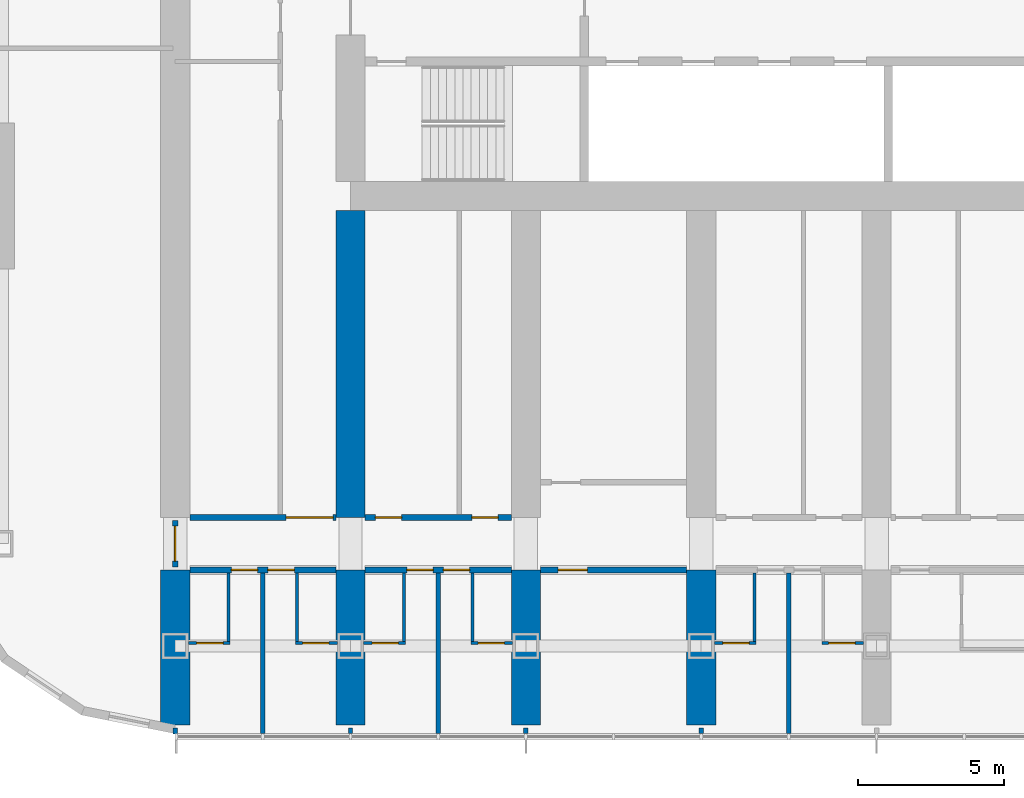
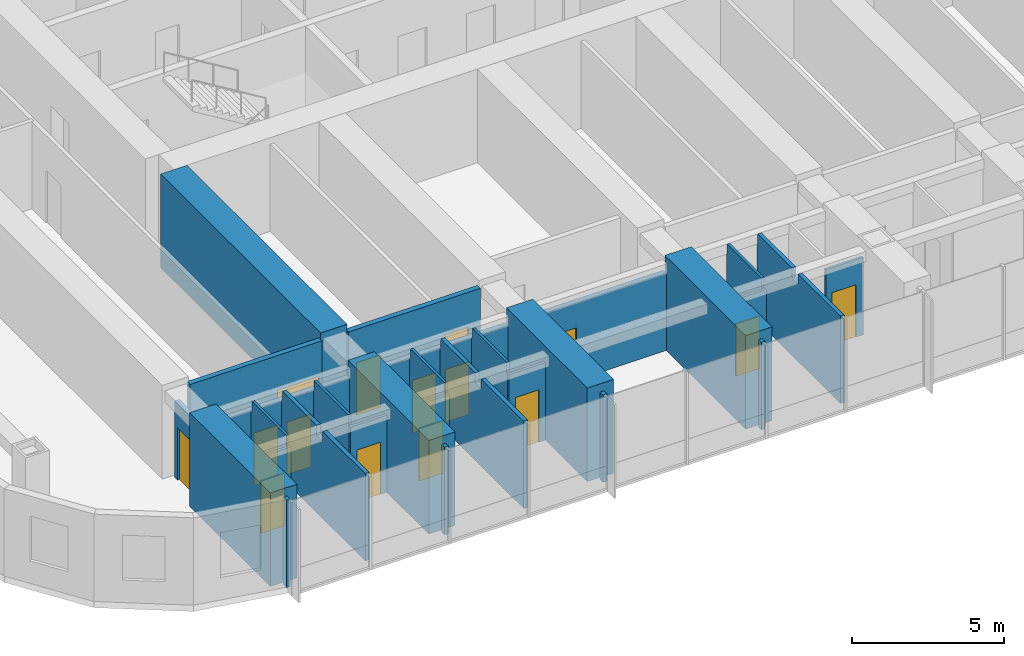
# One storey, part 10 of 24: 29 walls, 15 doors, 15 openings.
"""IFC4 building model written with IfcOpenShell, lengths in metres."""

import ifcopenshell
import ifcopenshell.guid

model = None  # the IFC model being written
_history = None  # IfcOwnerHistory: only IFC2X3 demands one
_inside = {}  # id of a spatial element -> (the spatial element, [elements in it])
_under = {}  # id of a project, library or spatial element -> (it, [spatial elements below it])
_declared = {}  # id of a project -> (the project, [libraries it declares])
_typed = {}  # id of a type object -> (the type object, [elements of that type])
_made_of = {}  # id of a material, layer set ... -> (it, [elements and type objects made of it])


def new_model(schema):
    """Start an empty IFC model of exactly this schema.

    Asked for "IFC4X3", IfcOpenShell would pick the latest addendum, in which some entities
    have other attributes; the version numbers below select the first issue.
    IFC2X3 requires an IfcOwnerHistory on every rooted entity: one is made here for all.
    """
    global model, _history
    if schema == "IFC4X3":
        model = ifcopenshell.file(schema_version=(4, 3, 0, 0))
    else:
        model = ifcopenshell.file(schema=schema)
    _inside.clear()
    _under.clear()
    _declared.clear()
    _typed.clear()
    _made_of.clear()
    _history = None
    if model.schema == "IFC2X3":
        org = make("IfcOrganization", Name="unknown")
        user = make(
            "IfcPersonAndOrganization",
            ThePerson=make("IfcPerson", FamilyName="unknown"),
            TheOrganization=org,
        )
        app = make(
            "IfcApplication",
            ApplicationDeveloper=org,
            Version="unknown",
            ApplicationFullName="unknown",
            ApplicationIdentifier="unknown",
        )
        _history = make(
            "IfcOwnerHistory",
            OwningUser=user,
            OwningApplication=app,
            ChangeAction="ADDED",
            CreationDate=0,
        )
    return model


def make(cls, **values):
    """One entity of the class cls with the attributes given. An attribute that is None is left unset."""
    return model.create_entity(
        cls, **{name: value for name, value in values.items() if value is not None}
    )


def rooted(cls, **values):
    """An entity with a GlobalId (a new one), such as an element, a storey or a relation."""
    return make(cls, GlobalId=ifcopenshell.guid.new(), OwnerHistory=_history, **values)


def si_unit(unit_type, name, prefix=None):
    """IfcSIUnit, for example si_unit("LENGTHUNIT", "METRE", prefix="MILLI")."""
    return make("IfcSIUnit", UnitType=unit_type, Prefix=prefix, Name=name)


def assignment(units):
    """IfcUnitAssignment: the units of a project."""
    return None if units is None else make("IfcUnitAssignment", Units=units)


def point(xyz):
    """IfcCartesianPoint."""
    return None if xyz is None else make("IfcCartesianPoint", Coordinates=xyz)


def direction(xyz):
    """IfcDirection."""
    return None if xyz is None else make("IfcDirection", DirectionRatios=xyz)


def frame(location, z_axis=None, x_axis=None):
    """IfcAxis2Placement3D, a coordinate frame: its origin and axes. An axis left out is left unset."""
    return make(
        "IfcAxis2Placement3D",
        Location=point(location),
        Axis=direction(z_axis),
        RefDirection=direction(x_axis),
    )


def frame_2d(location, x_axis=None):
    """IfcAxis2Placement2D, a coordinate frame in the plane: its origin and x axis."""
    return make(
        "IfcAxis2Placement2D", Location=point(location), RefDirection=direction(x_axis)
    )


def origin():
    """The frame at (0, 0, 0) with its axes left unset."""
    return frame((0.0, 0.0, 0.0))


def place(relative_to, where):
    """IfcLocalPlacement: puts the frame where relative to a parent placement (None: the world)."""
    return make(
        "IfcLocalPlacement", PlacementRelTo=relative_to, RelativePlacement=where
    )


def context(
    kind, dimensions, precision=None, world=None, true_north=None, identifier=None
):
    """IfcGeometricRepresentationContext, for example the 3D "Model" context."""
    return make(
        "IfcGeometricRepresentationContext",
        ContextIdentifier=identifier,
        ContextType=kind,
        CoordinateSpaceDimension=dimensions,
        Precision=precision,
        WorldCoordinateSystem=world,
        TrueNorth=true_north,
    )


def subcontext(parent, identifier, kind, view, scale=None):
    """IfcGeometricRepresentationSubContext, for example "Body" below "Model"."""
    return make(
        "IfcGeometricRepresentationSubContext",
        ContextIdentifier=identifier,
        ContextType=kind,
        ParentContext=parent,
        TargetScale=scale,
        TargetView=view,
    )


def project(units=None, contexts=None):
    """IfcProject with its units and contexts."""
    return rooted(
        "IfcProject",
        Name="project",
        RepresentationContexts=contexts,
        UnitsInContext=assignment(units),
    )


def spatial(cls, under=None, at=None, **own):
    """A site, building, storey or space (cls), placed at a placement, below another one or the project."""
    s = rooted(cls, ObjectPlacement=at, **own)
    if under is not None:
        _under.setdefault(under.id(), (under, []))[1].append(s)
    return s


def polyline(points):
    """IfcPolyline through the points."""
    return make("IfcPolyline", Points=[point(p) for p in points])


def profile(cls, at=None, kind="AREA", **sizes):
    """A parametric profile (cls). Its sizes go by their IFC names, for example OverallWidth=200.0."""
    return make(cls, ProfileType=kind, Position=at, **sizes)


def rectangle(**sizes):
    """IfcRectangleProfileDef."""
    return profile("IfcRectangleProfileDef", **sizes)


def outline(outer, holes=None, kind="AREA"):
    """IfcArbitraryClosedProfileDef: a profile drawn as a closed curve; with holes, ...WithVoids."""
    if holes is None:
        return make("IfcArbitraryClosedProfileDef", ProfileType=kind, OuterCurve=outer)
    return make(
        "IfcArbitraryProfileDefWithVoids",
        ProfileType=kind,
        OuterCurve=outer,
        InnerCurves=holes,
    )


def extrude(swept, where, along, depth):
    """IfcExtrudedAreaSolid: the profile swept, set in the frame where, extruded along a direction by depth."""
    return make(
        "IfcExtrudedAreaSolid",
        SweptArea=swept,
        Position=where,
        ExtrudedDirection=direction(along),
        Depth=depth,
    )


def shape(context_of_items, identifier, shape_type, items):
    """IfcShapeRepresentation: the items that make up one representation, for example the "Body"."""
    return make(
        "IfcShapeRepresentation",
        ContextOfItems=context_of_items,
        RepresentationIdentifier=identifier,
        RepresentationType=shape_type,
        Items=items,
    )


def material(Name=None, Category=None):
    """IfcMaterial."""
    return make("IfcMaterial", Name=Name, Category=Category)


def layer(
    of_material, thickness, ventilated=None, Name=None, Category=None, Priority=None
):
    """IfcMaterialLayer: one layer of a wall or slab, of a material (None: an air gap)."""
    return make(
        "IfcMaterialLayer",
        Material=of_material,
        LayerThickness=thickness,
        IsVentilated=ventilated,
        Name=Name,
        Category=Category,
        Priority=Priority,
    )


def layer_set(layers, Name=None):
    """IfcMaterialLayerSet."""
    return make("IfcMaterialLayerSet", MaterialLayers=layers, LayerSetName=Name)


def made_of(thing, what):
    """Note that an element or type object is made of a material, layer set ...; save() writes the relation."""
    if what is not None:
        _made_of.setdefault(what.id(), (what, []))[1].append(thing)
    return thing


def type_object(cls, material=None, **own):
    """A type object (cls), such as IfcWallType, which elements share."""
    return made_of(rooted(cls, **own), material)


def element(
    cls,
    number,
    at=None,
    inside=None,
    cuts=None,
    type_object=None,
    material=None,
    context=None,
    identifier="Body",
    shape_type=None,
    held_by="IfcProductDefinitionShape",
    body=None,
    shapes=None,
    **own,
):
    """One element of the class cls, such as IfcWall. Its Tag is "e" and its number.

    at: its placement. inside: the storey or other place that contains it. cuts: it is an
    opening in that element (IfcRelVoidsElement). A single representation is given by context,
    identifier, shape_type and body (its items); several are given by shapes. held_by: the class
    of the entity that holds the representations. save() writes the other relations.
    """
    e = rooted(cls, Tag="e%d" % number, ObjectPlacement=at, **own)
    if body is not None:
        shapes = [shape(context, identifier, shape_type, body)]
    if shapes is not None:
        e.Representation = make(held_by, Representations=shapes)
    if inside is not None:
        _inside.setdefault(inside.id(), (inside, []))[1].append(e)
    if cuts is not None:
        rooted(
            "IfcRelVoidsElement", RelatingBuildingElement=cuts, RelatedOpeningElement=e
        )
    if type_object is not None:
        _typed.setdefault(type_object.id(), (type_object, []))[1].append(e)
    return made_of(e, material)


def fill(opening, filler):
    """IfcRelFillsElement: the door or window that sits in an opening."""
    return rooted(
        "IfcRelFillsElement",
        RelatingOpeningElement=opening,
        RelatedBuildingElement=filler,
    )


def aggregate(whole, parts):
    """IfcRelAggregates: a whole, such as a stair, and the parts it consists of."""
    return rooted("IfcRelAggregates", RelatingObject=whole, RelatedObjects=parts)


def save(model, path):
    """Write the relations noted so far, then the file.

    IfcRelAggregates (storeys below a building ...), IfcRelContainedInSpatialStructure (elements
    in a storey), IfcRelDefinesByType, IfcRelAssociatesMaterial and IfcRelDeclares: one each for
    every whole, place, type object, material and project.
    """
    for whole, parts in _under.values():
        aggregate(whole, parts)
    for where, things in _inside.values():
        rooted(
            "IfcRelContainedInSpatialStructure",
            RelatedElements=things,
            RelatingStructure=where,
        )
    for kind, things in _typed.values():
        rooted("IfcRelDefinesByType", RelatedObjects=things, RelatingType=kind)
    for what, things in _made_of.values():
        rooted("IfcRelAssociatesMaterial", RelatedObjects=things, RelatingMaterial=what)
    for by, libraries in _declared.values():
        rooted("IfcRelDeclares", RelatingContext=by, RelatedDefinitions=libraries)
    model.write(path)


model = new_model("IFC4")

# Units and contexts
model_context = context("Model", 3, precision=1e-05, world=origin(), true_north=direction((0.0, 1.0)))
body_context = subcontext(model_context, "Body", "Model", "MODEL_VIEW")
ifc_project = project(units=[si_unit("LENGTHUNIT", "METRE"), si_unit("AREAUNIT", "SQUARE_METRE"), si_unit("VOLUMEUNIT", "CUBIC_METRE"), si_unit("PLANEANGLEUNIT", "RADIAN"), si_unit("MASSUNIT", "GRAM", prefix="KILO")], contexts=[model_context])

# Site, building, storey
site_placement = place(None, origin())
site = spatial("IfcSite", under=ifc_project, at=site_placement, CompositionType="ELEMENT")
building_placement = place(site_placement, origin())
building = spatial("IfcBuilding", under=site, at=building_placement, Name="Orbita Commons", CompositionType="ELEMENT")
storey_placement = place(building_placement, frame((0.0, 0.0, 27.699951171875)))
storey = spatial("IfcBuildingStorey", under=building, at=storey_placement, Name="L06", CompositionType="ELEMENT", Elevation=27.699951171875)

# Wall, openings, doors
ifc_material_1 = material(Name="Concrete blockwork", Category="masonry")
ifc_layer_1 = layer(ifc_material_1, 0.199951171875)
ifc_layer_set_1 = layer_set([ifc_layer_1], Name="Concrete blockwork")
wall_type_1 = type_object("IfcWallType", Name="Corridor wall 200 blockwork", PredefinedType="SOLIDWALL", material=ifc_layer_set_1)
wall_1_placement = place(storey_placement, frame((12.5, 13.0, 0.0), z_axis=(0.0, 0.0, 1.0), x_axis=(1.0, 0.0, 0.0)))
wall_1 = element("IfcWall", 1, at=wall_1_placement, inside=storey, type_object=wall_type_1, Name="Corridor wall 200 blockwork L06", PredefinedType="SOLIDWALL", context=body_context, shape_type="SweptSolid", body=[
    extrude(outline(polyline([(0.0, 0.0), (5.0, 0.0), (5.0, 3.10009765625), (0.0, 3.10009765625), (0.0, 0.0)])), frame((0.0, 0.10009765625, 0.0), z_axis=(0.0, -1.0, 0.0), x_axis=(1.0, 0.0, 0.0)), (0.0, 0.0, 1.0), 0.199951171875),
])
opening_1_placement = place(wall_1_placement, frame((1.425048828125, 0.0, 0.0)))
opening_1 = element("IfcOpeningElement", 2, at=opening_1_placement, cuts=wall_1, Name="Opening D11", PredefinedType="OPENING", context=body_context, shape_type="SweptSolid", body=[
    extrude(rectangle(XDim=0.89990234375, YDim=2.10009765625, at=frame_2d((0.449951171875, 1.050048828125))), frame((0.0, 0.10986328125, 0.0), z_axis=(0.0, -1.0, 0.0), x_axis=(1.0, 0.0, 0.0)), (0.0, 0.0, 1.0), 0.219970703125),
])
opening_2_placement = place(wall_1_placement, frame((2.675048828125, 0.0, 0.0)))
opening_2 = element("IfcOpeningElement", 3, at=opening_2_placement, cuts=wall_1, Name="Opening D11", PredefinedType="OPENING", context=body_context, shape_type="SweptSolid", body=[
    extrude(rectangle(XDim=0.89990234375, YDim=2.10009765625, at=frame_2d((0.449951171875, 1.050048828125))), frame((0.0, 0.10986328125, 0.0), z_axis=(0.0, -1.0, 0.0), x_axis=(1.0, 0.0, 0.0)), (0.0, 0.0, 1.0), 0.219970703125),
])
ifc_material_2 = material(Name="Steel-faced fire door leaf", Category="steel")
door_type_1 = type_object("IfcDoorType", Name="Corridor door 20 min 900x2100", OperationType="SINGLE_SWING_LEFT", PredefinedType="DOOR", material=ifc_material_2)
door_1_placement = place(opening_1_placement, origin())
door_1 = element("IfcDoor", 4, at=door_1_placement, inside=storey, type_object=door_type_1, Name="House bedroom L06-S00 door", OperationType="SINGLE_SWING_LEFT", OverallHeight=2.10009765625, OverallWidth=0.89990234375, PredefinedType="DOOR", context=body_context, shape_type="SweptSolid", body=[
    extrude(rectangle(XDim=0.89990234375, YDim=2.10009765625, at=frame_2d((0.449951171875, 1.050048828125))), frame((0.0, 0.02490234375, 0.0), z_axis=(0.0, -1.0, 0.0), x_axis=(1.0, 0.0, 0.0)), (0.0, 0.0, 1.0), 0.050048828125),
])
fill(opening_1, door_1)
door_2_placement = place(opening_2_placement, origin())
door_2 = element("IfcDoor", 5, at=door_2_placement, inside=storey, type_object=door_type_1, Name="House bedroom L06-S01 door", OperationType="SINGLE_SWING_LEFT", OverallHeight=2.10009765625, OverallWidth=0.89990234375, PredefinedType="DOOR", context=body_context, shape_type="SweptSolid", body=[
    extrude(rectangle(XDim=0.89990234375, YDim=2.10009765625, at=frame_2d((0.449951171875, 1.050048828125))), frame((0.0, 0.02490234375, 0.0), z_axis=(0.0, -1.0, 0.0), x_axis=(1.0, 0.0, 0.0)), (0.0, 0.0, 1.0), 0.050048828125),
])
fill(opening_2, door_2)

wall_2_placement = place(storey_placement, frame((18.5, 13.0, 0.0), z_axis=(0.0, 0.0, 1.0), x_axis=(1.0, 0.0, 0.0)))
wall_2 = element("IfcWall", 6, at=wall_2_placement, inside=storey, type_object=wall_type_1, Name="Corridor wall 200 blockwork L06", PredefinedType="SOLIDWALL", context=body_context, shape_type="SweptSolid", body=[
    extrude(outline(polyline([(0.0, 0.0), (5.0, 0.0), (5.0, 3.10009765625), (0.0, 3.10009765625), (0.0, 0.0)])), frame((0.0, 0.10009765625, 0.0), z_axis=(0.0, -1.0, 0.0), x_axis=(1.0, 0.0, 0.0)), (0.0, 0.0, 1.0), 0.199951171875),
])
opening_3_placement = place(wall_2_placement, frame((1.425048828125, 0.0, 0.0)))
opening_3 = element("IfcOpeningElement", 7, at=opening_3_placement, cuts=wall_2, Name="Opening D11", PredefinedType="OPENING", context=body_context, shape_type="SweptSolid", body=[
    extrude(rectangle(XDim=0.89990234375, YDim=2.10009765625, at=frame_2d((0.449951171875, 1.050048828125))), frame((0.0, 0.10986328125, 0.0), z_axis=(0.0, -1.0, 0.0), x_axis=(1.0, 0.0, 0.0)), (0.0, 0.0, 1.0), 0.219970703125),
])
opening_4_placement = place(wall_2_placement, frame((2.675048828125, 0.0, 0.0)))
opening_4 = element("IfcOpeningElement", 8, at=opening_4_placement, cuts=wall_2, Name="Opening D11", PredefinedType="OPENING", context=body_context, shape_type="SweptSolid", body=[
    extrude(rectangle(XDim=0.89990234375, YDim=2.10009765625, at=frame_2d((0.449951171875, 1.050048828125))), frame((0.0, 0.10986328125, 0.0), z_axis=(0.0, -1.0, 0.0), x_axis=(1.0, 0.0, 0.0)), (0.0, 0.0, 1.0), 0.219970703125),
])
door_3_placement = place(opening_3_placement, origin())
door_3 = element("IfcDoor", 9, at=door_3_placement, inside=storey, type_object=door_type_1, Name="House bedroom L06-S02 door", OperationType="SINGLE_SWING_LEFT", OverallHeight=2.10009765625, OverallWidth=0.89990234375, PredefinedType="DOOR", context=body_context, shape_type="SweptSolid", body=[
    extrude(rectangle(XDim=0.89990234375, YDim=2.10009765625, at=frame_2d((0.449951171875, 1.050048828125))), frame((0.0, 0.02490234375, 0.0), z_axis=(0.0, -1.0, 0.0), x_axis=(1.0, 0.0, 0.0)), (0.0, 0.0, 1.0), 0.050048828125),
])
fill(opening_3, door_3)
door_4_placement = place(opening_4_placement, origin())
door_4 = element("IfcDoor", 10, at=door_4_placement, inside=storey, type_object=door_type_1, Name="House bedroom L06-S03 door", OperationType="SINGLE_SWING_LEFT", OverallHeight=2.10009765625, OverallWidth=0.89990234375, PredefinedType="DOOR", context=body_context, shape_type="SweptSolid", body=[
    extrude(rectangle(XDim=0.89990234375, YDim=2.10009765625, at=frame_2d((0.449951171875, 1.050048828125))), frame((0.0, 0.02490234375, 0.0), z_axis=(0.0, -1.0, 0.0), x_axis=(1.0, 0.0, 0.0)), (0.0, 0.0, 1.0), 0.050048828125),
])
fill(opening_4, door_4)

# Wall, opening, door
wall_3_placement = place(storey_placement, frame((24.5, 13.0, 0.0), z_axis=(0.0, 0.0, 1.0), x_axis=(1.0, 0.0, 0.0)))
wall_3 = element("IfcWall", 11, at=wall_3_placement, inside=storey, type_object=wall_type_1, Name="Corridor wall 200 blockwork L06", PredefinedType="SOLIDWALL", context=body_context, shape_type="SweptSolid", body=[
    extrude(outline(polyline([(0.0, 0.0), (5.0, 0.0), (5.0, 3.10009765625), (0.0, 3.10009765625), (0.0, 0.0)])), frame((0.0, 0.10009765625, 0.0), z_axis=(0.0, -1.0, 0.0), x_axis=(1.0, 0.0, 0.0)), (0.0, 0.0, 1.0), 0.199951171875),
])
opening_5_placement = place(wall_3_placement, frame((0.60009765625, 0.0, 0.0)))
opening_5 = element("IfcOpeningElement", 12, at=opening_5_placement, cuts=wall_3, Name="Opening D06", PredefinedType="OPENING", context=body_context, shape_type="SweptSolid", body=[
    extrude(rectangle(XDim=1.0, YDim=2.10009765625, at=frame_2d((0.5, 1.050048828125))), frame((0.0, 0.10986328125, 0.0), z_axis=(0.0, -1.0, 0.0), x_axis=(1.0, 0.0, 0.0)), (0.0, 0.0, 1.0), 0.219970703125),
])
ifc_material_3 = material(Name="Steel-faced fire door leaf", Category="steel")
door_type_2 = type_object("IfcDoorType", Name="Corridor door 20 min 1000x2100", OperationType="SINGLE_SWING_LEFT", PredefinedType="DOOR", material=ifc_material_3)
door_5_placement = place(opening_5_placement, origin())
door_5 = element("IfcDoor", 13, at=door_5_placement, inside=storey, type_object=door_type_2, Name="House common room L06-S04 door", OperationType="SINGLE_SWING_LEFT", OverallHeight=2.10009765625, OverallWidth=1.0, PredefinedType="DOOR", context=body_context, shape_type="SweptSolid", body=[
    extrude(rectangle(XDim=1.0, YDim=2.10009765625, at=frame_2d((0.5, 1.050048828125))), frame((0.0, 0.02490234375, 0.0), z_axis=(0.0, -1.0, 0.0), x_axis=(1.0, 0.0, 0.0)), (0.0, 0.0, 1.0), 0.050048828125),
])
fill(opening_5, door_5)

wall_4_placement = place(storey_placement, frame((12.0, 13.10009765625, 0.0), z_axis=(0.0, 0.0, 1.0), x_axis=(0.0, 1.0, 0.0)))
wall_4 = element("IfcWall", 14, at=wall_4_placement, inside=storey, type_object=wall_type_1, Name="Corridor wall 200 blockwork L06", PredefinedType="SOLIDWALL", context=body_context, shape_type="SweptSolid", body=[
    extrude(outline(polyline([(0.0, 0.0), (1.599853515625, 0.0), (1.60009765625, 3.050048828125), (0.0, 3.050048828125), (0.0, 0.0)])), frame((0.0, 0.10009765625, 0.0), z_axis=(0.0, -1.0, 0.0), x_axis=(1.0, 0.0, 0.0)), (0.0, 0.0, 1.0), 0.199951171875),
])
opening_6_placement = place(wall_4_placement, frame((0.199951171875, 0.0, 0.0)))
opening_6 = element("IfcOpeningElement", 15, at=opening_6_placement, cuts=wall_4, Name="Opening D12", PredefinedType="OPENING", context=body_context, shape_type="SweptSolid", body=[
    extrude(rectangle(XDim=1.199951171875, YDim=2.10009765625, at=frame_2d((0.60009765625, 1.050048828125))), frame((0.0, 0.10986328125, 0.0), z_axis=(0.0, -1.0, 0.0), x_axis=(1.0, 0.0, 0.0)), (0.0, 0.0, 1.0), 0.219970703125),
])
ifc_material_4 = material(Name="Steel-faced fire door leaf", Category="steel")
door_type_3 = type_object("IfcDoorType", Name="Double corridor door 20 min 1200x2100", OperationType="DOUBLE_DOOR_SINGLE_SWING", PredefinedType="DOOR", material=ifc_material_4)
door_6_placement = place(opening_6_placement, origin())
door_6 = element("IfcDoor", 16, at=door_6_placement, inside=storey, type_object=door_type_3, Name="Lounge doors", OperationType="DOUBLE_DOOR_SINGLE_SWING", OverallHeight=2.10009765625, OverallWidth=1.199951171875, PredefinedType="DOOR", context=body_context, shape_type="SweptSolid", body=[
    extrude(rectangle(XDim=1.199951171875, YDim=2.10009765625, at=frame_2d((0.60009765625, 1.050048828125))), frame((0.0, 0.02490234375, 0.0), z_axis=(0.0, -1.0, 0.0), x_axis=(1.0, 0.0, 0.0)), (0.0, 0.0, 1.0), 0.050048828125),
])
fill(opening_6, door_6)

ifc_material_5 = material(Name="Hollow concrete block 200", Category="concrete")
ifc_layer_2 = layer(ifc_material_5, 0.199951171875)
ifc_layer_set_2 = layer_set([ifc_layer_2], Name="Hollow concrete block 200")
wall_type_2 = type_object("IfcWallType", Name="Corridor wall 200 hollow concrete block", PredefinedType="SOLIDWALL", material=ifc_layer_set_2)
wall_5_placement = place(storey_placement, frame((12.5, 14.800048828125, 0.0), z_axis=(0.0, 0.0, 1.0), x_axis=(1.0, 0.0, 0.0)))
wall_5 = element("IfcWall", 17, at=wall_5_placement, inside=storey, type_object=wall_type_2, Name="Corridor wall 200 hollow concrete block L06", PredefinedType="SOLIDWALL", context=body_context, shape_type="SweptSolid", body=[
    extrude(rectangle(XDim=5.0, YDim=0.199951171875, at=frame_2d((2.5, 0.0))), origin(), (0.0, 0.0, 1.0), 3.5),
])
opening_7_placement = place(wall_5_placement, frame((3.300048828125, 0.0, 0.0)))
opening_7 = element("IfcOpeningElement", 18, at=opening_7_placement, cuts=wall_5, Name="Opening D10", PredefinedType="OPENING", context=body_context, shape_type="SweptSolid", body=[
    extrude(rectangle(XDim=1.60009765625, YDim=2.10009765625, at=frame_2d((0.800048828125, 1.050048828125))), frame((0.0, 0.10986328125, 0.0), z_axis=(0.0, -1.0, 0.0), x_axis=(1.0, 0.0, 0.0)), (0.0, 0.0, 1.0), 0.219970703125),
])
ifc_material_6 = material(Name="Steel-faced fire door leaf", Category="steel")
door_type_4 = type_object("IfcDoorType", Name="Double corridor door 20 min 1600x2100", OperationType="DOUBLE_DOOR_SINGLE_SWING", PredefinedType="DOOR", material=ifc_material_6)
door_7_placement = place(opening_7_placement, origin())
door_7 = element("IfcDoor", 19, at=door_7_placement, inside=storey, type_object=door_type_4, Name="Cross corridor doors", OperationType="DOUBLE_DOOR_SINGLE_SWING", OverallHeight=2.10009765625, OverallWidth=1.60009765625, PredefinedType="DOOR", context=body_context, shape_type="SweptSolid", body=[
    extrude(rectangle(XDim=1.60009765625, YDim=2.10009765625, at=frame_2d((0.800048828125, 1.050048828125))), frame((0.0, 0.02490234375, 0.0), z_axis=(0.0, -1.0, 0.0), x_axis=(1.0, 0.0, 0.0)), (0.0, 0.0, 1.0), 0.050048828125),
])
fill(opening_7, door_7)

# Wall, openings, doors
wall_6_placement = place(storey_placement, frame((18.5, 14.800048828125, 0.0), z_axis=(0.0, 0.0, 1.0), x_axis=(1.0, 0.0, 0.0)))
wall_6 = element("IfcWall", 20, at=wall_6_placement, inside=storey, type_object=wall_type_2, Name="Corridor wall 200 hollow concrete block L06", PredefinedType="SOLIDWALL", context=body_context, shape_type="SweptSolid", body=[
    extrude(rectangle(XDim=5.0, YDim=0.199951171875, at=frame_2d((2.5, 0.0))), origin(), (0.0, 0.0, 1.0), 3.5),
])
opening_8_placement = place(wall_6_placement, frame((0.35009765625, 0.0, 0.0)))
opening_8 = element("IfcOpeningElement", 21, at=opening_8_placement, cuts=wall_6, Name="Opening D11", PredefinedType="OPENING", context=body_context, shape_type="SweptSolid", body=[
    extrude(rectangle(XDim=0.89990234375, YDim=2.10009765625, at=frame_2d((0.449951171875, 1.050048828125))), frame((0.0, 0.10986328125, 0.0), z_axis=(0.0, -1.0, 0.0), x_axis=(1.0, 0.0, 0.0)), (0.0, 0.0, 1.0), 0.219970703125),
])
opening_9_placement = place(wall_6_placement, frame((3.64990234375, 0.0, 0.0)))
opening_9 = element("IfcOpeningElement", 22, at=opening_9_placement, cuts=wall_6, Name="Opening D11", PredefinedType="OPENING", context=body_context, shape_type="SweptSolid", body=[
    extrude(rectangle(XDim=0.89990234375, YDim=2.10009765625, at=frame_2d((0.449951171875, 1.050048828125))), frame((0.0, 0.10986328125, 0.0), z_axis=(0.0, -1.0, 0.0), x_axis=(1.0, 0.0, 0.0)), (0.0, 0.0, 1.0), 0.219970703125),
])
door_8_placement = place(opening_8_placement, origin())
door_8 = element("IfcDoor", 23, at=door_8_placement, inside=storey, type_object=door_type_1, Name="Group meeting room L06-BDS18 door", OperationType="SINGLE_SWING_LEFT", OverallHeight=2.10009765625, OverallWidth=0.89990234375, PredefinedType="DOOR", context=body_context, shape_type="SweptSolid", body=[
    extrude(rectangle(XDim=0.89990234375, YDim=2.10009765625, at=frame_2d((0.449951171875, 1.050048828125))), frame((0.0, 0.02490234375, 0.0), z_axis=(0.0, -1.0, 0.0), x_axis=(1.0, 0.0, 0.0)), (0.0, 0.0, 1.0), 0.050048828125),
])
fill(opening_8, door_8)
door_9_placement = place(opening_9_placement, origin())
door_9 = element("IfcDoor", 24, at=door_9_placement, inside=storey, type_object=door_type_1, Name="Accessible WC and shower room L06-BDS18n door", OperationType="SINGLE_SWING_LEFT", OverallHeight=2.10009765625, OverallWidth=0.89990234375, PredefinedType="DOOR", context=body_context, shape_type="SweptSolid", body=[
    extrude(rectangle(XDim=0.89990234375, YDim=2.10009765625, at=frame_2d((0.449951171875, 1.050048828125))), frame((0.0, 0.02490234375, 0.0), z_axis=(0.0, -1.0, 0.0), x_axis=(1.0, 0.0, 0.0)), (0.0, 0.0, 1.0), 0.050048828125),
])
fill(opening_9, door_9)

# Walls
ifc_material_7 = material(Name="Concrete C50/60", Category="concrete")
ifc_layer_3 = layer(ifc_material_7, 1.0)
ifc_layer_set_3 = layer_set([ifc_layer_3], Name="Concrete C50/60")
wall_type_3 = type_object("IfcWallType", Name="Cross wall 1000 C50/60", PredefinedType="SHEAR", material=ifc_layer_set_3)
for number, where, z_axis, x_axis, name in (
    (25, (12.0, 7.699951171875, 0.0), (0.0, 0.0, 1.0), (0.0, 1.0, 0.0), "Cross wall 3 south outer L06"),
    (26, (18.0, 7.699951171875, 0.0), (0.0, 0.0, 1.0), (0.0, 1.0, 0.0), "Cross wall 4 south outer L06"),
):
    element("IfcWall", number, at=place(storey_placement, frame(where, z_axis=z_axis, x_axis=x_axis)), inside=storey, type_object=wall_type_3, Name=name, PredefinedType="SHEAR", context=body_context, shape_type="SweptSolid", body=[
        extrude(rectangle(XDim=5.300048828125, YDim=1.0, at=frame_2d((2.64990234375, 0.0))), origin(), (0.0, 0.0, 1.0), 3.75),
    ])
wall_7_placement = place(storey_placement, frame((18.0, 14.800048828125, 0.0), z_axis=(0.0, 0.0, 1.0), x_axis=(0.0, 1.0, 0.0)))
element("IfcWall", 27, at=wall_7_placement, inside=storey, type_object=wall_type_3, Name="Cross wall 4 south inner L06", PredefinedType="SHEAR", context=body_context, shape_type="SweptSolid", body=[
    extrude(rectangle(XDim=10.5, YDim=1.0, at=frame_2d((5.25, 0.0))), origin(), (0.0, 0.0, 1.0), 3.75),
])
for number, where, z_axis, x_axis, name in (
    (28, (24.0, 7.699951171875, 0.0), (0.0, 0.0, 1.0), (0.0, 1.0, 0.0), "Cross wall 5 south outer L06"),
    (29, (30.0, 7.699951171875, 0.0), (0.0, 0.0, 1.0), (0.0, 1.0, 0.0), "Cross wall 6 south outer L06"),
):
    element("IfcWall", number, at=place(storey_placement, frame(where, z_axis=z_axis, x_axis=x_axis)), inside=storey, type_object=wall_type_3, Name=name, PredefinedType="SHEAR", context=body_context, shape_type="SweptSolid", body=[
        extrude(rectangle(XDim=5.300048828125, YDim=1.0, at=frame_2d((2.64990234375, 0.0))), origin(), (0.0, 0.0, 1.0), 3.75),
    ])

# Wall, opening, door
ifc_material_8 = material(Name="Moisture-resistant plasterboard on steel studs", Category="steel")
ifc_layer_4 = layer(ifc_material_8, 0.10009765625)
ifc_layer_set_4 = layer_set([ifc_layer_4], Name="Moisture-resistant plasterboard on steel studs")
wall_type_4 = type_object("IfcWallType", Name="En-suite partition 100", PredefinedType="PARTITIONING", material=ifc_layer_set_4)
wall_8_placement = place(storey_placement, frame((13.875, 10.5, 0.0), z_axis=(0.0, 0.0, 1.0), x_axis=(-1.0, 0.0, 0.0)))
wall_8 = element("IfcWall", 30, at=wall_8_placement, inside=storey, type_object=wall_type_4, Name="En-suite partition 100 L06", PredefinedType="PARTITIONING", context=body_context, shape_type="SweptSolid", body=[
    extrude(outline(polyline([(0.0, 0.0), (1.425048828125, 0.0), (1.425048828125, 3.10009765625), (0.0, 3.10009765625), (0.0, 0.0)])), frame((0.0, 0.050048828125, 0.0), z_axis=(0.0, -1.0, 0.0), x_axis=(1.0, 0.0, 0.0)), (0.0, 0.0, 1.0), 0.10009765625),
])
opening_10_placement = place(wall_8_placement, frame((0.237548828125, 0.0, 0.0)))
opening_10 = element("IfcOpeningElement", 31, at=opening_10_placement, cuts=wall_8, Name="Opening D09", PredefinedType="OPENING", context=body_context, shape_type="SweptSolid", body=[
    extrude(rectangle(XDim=0.89990234375, YDim=2.10009765625, at=frame_2d((0.449951171875, 1.050048828125))), frame((0.0, 0.06005859375, 0.0), z_axis=(0.0, -1.0, 0.0), x_axis=(1.0, 0.0, 0.0)), (0.0, 0.0, 1.0), 0.1201171875),
])
ifc_material_9 = material(Name="Laminated timber door leaf", Category="wood")
door_type_5 = type_object("IfcDoorType", Name="En-suite door 900x2100", OperationType="SINGLE_SWING_RIGHT", PredefinedType="DOOR", material=ifc_material_9)
door_10_placement = place(opening_10_placement, origin())
door_10 = element("IfcDoor", 32, at=door_10_placement, inside=storey, type_object=door_type_5, Name="En-suite L06-S00 door", OperationType="SINGLE_SWING_RIGHT", OverallHeight=2.10009765625, OverallWidth=0.89990234375, PredefinedType="DOOR", context=body_context, shape_type="SweptSolid", body=[
    extrude(rectangle(XDim=0.89990234375, YDim=2.10009765625, at=frame_2d((0.449951171875, 1.050048828125))), frame((0.0, 0.02490234375, 0.0), z_axis=(0.0, -1.0, 0.0), x_axis=(1.0, 0.0, 0.0)), (0.0, 0.0, 1.0), 0.050048828125),
])
fill(opening_10, door_10)

# Wall
wall_9_placement = place(storey_placement, frame((13.824951171875, 10.550048828125, 0.0), z_axis=(0.0, 0.0, 1.0), x_axis=(0.0, 1.0, 0.0)))
element("IfcWall", 33, at=wall_9_placement, inside=storey, type_object=wall_type_4, Name="En-suite partition 100 L06", PredefinedType="PARTITIONING", context=body_context, shape_type="SweptSolid", body=[
    extrude(outline(polyline([(0.0, 0.0), (2.349853515625, 0.0), (2.35009765625, 3.10009765625), (2.302001953125, 3.10009765625), (2.300048828125, 3.5), (0.052001953125, 3.5), (0.050048828125, 3.10009765625), (0.0, 3.10009765625), (0.0, 0.0)])), frame((0.0, 0.050048828125, 0.0), z_axis=(0.0, -1.0, 0.0), x_axis=(1.0, 0.0, 0.0)), (0.0, 0.0, 1.0), 0.10009765625),
])

# Wall, opening, door
wall_10_placement = place(storey_placement, frame((17.550048828125, 10.5, 0.0), z_axis=(0.0, 0.0, 1.0), x_axis=(-1.0, 0.0, 0.0)))
wall_10 = element("IfcWall", 34, at=wall_10_placement, inside=storey, type_object=wall_type_4, Name="En-suite partition 100 L06", PredefinedType="PARTITIONING", context=body_context, shape_type="SweptSolid", body=[
    extrude(outline(polyline([(0.0, 0.0), (1.425048828125, 0.0), (1.425048828125, 3.10009765625), (0.0, 3.10009765625), (0.0, 0.0)])), frame((0.0, 0.050048828125, 0.0), z_axis=(0.0, -1.0, 0.0), x_axis=(1.0, 0.0, 0.0)), (0.0, 0.0, 1.0), 0.10009765625),
])
opening_11_placement = place(wall_10_placement, frame((0.28759765625, 0.0, 0.0)))
opening_11 = element("IfcOpeningElement", 35, at=opening_11_placement, cuts=wall_10, Name="Opening D09", PredefinedType="OPENING", context=body_context, shape_type="SweptSolid", body=[
    extrude(rectangle(XDim=0.89990234375, YDim=2.10009765625, at=frame_2d((0.449951171875, 1.050048828125))), frame((0.0, 0.06005859375, 0.0), z_axis=(0.0, -1.0, 0.0), x_axis=(1.0, 0.0, 0.0)), (0.0, 0.0, 1.0), 0.1201171875),
])
door_11_placement = place(opening_11_placement, origin())
door_11 = element("IfcDoor", 36, at=door_11_placement, inside=storey, type_object=door_type_5, Name="En-suite L06-S01 door", OperationType="SINGLE_SWING_RIGHT", OverallHeight=2.10009765625, OverallWidth=0.89990234375, PredefinedType="DOOR", context=body_context, shape_type="SweptSolid", body=[
    extrude(rectangle(XDim=0.89990234375, YDim=2.10009765625, at=frame_2d((0.449951171875, 1.050048828125))), frame((0.0, 0.02490234375, 0.0), z_axis=(0.0, -1.0, 0.0), x_axis=(1.0, 0.0, 0.0)), (0.0, 0.0, 1.0), 0.050048828125),
])
fill(opening_11, door_11)

# Wall
wall_11_placement = place(storey_placement, frame((16.175048828125, 10.550048828125, 0.0), z_axis=(0.0, 0.0, 1.0), x_axis=(0.0, 1.0, 0.0)))
element("IfcWall", 37, at=wall_11_placement, inside=storey, type_object=wall_type_4, Name="En-suite partition 100 L06", PredefinedType="PARTITIONING", context=body_context, shape_type="SweptSolid", body=[
    extrude(outline(polyline([(0.0, 0.0), (2.349853515625, 0.0), (2.35009765625, 3.10009765625), (2.302001953125, 3.10009765625), (2.300048828125, 3.5), (0.052001953125, 3.5), (0.050048828125, 3.10009765625), (0.0, 3.10009765625), (0.0, 0.0)])), frame((0.0, 0.050048828125, 0.0), z_axis=(0.0, -1.0, 0.0), x_axis=(1.0, 0.0, 0.0)), (0.0, 0.0, 1.0), 0.10009765625),
])

# Wall, opening, door
wall_12_placement = place(storey_placement, frame((19.875, 10.5, 0.0), z_axis=(0.0, 0.0, 1.0), x_axis=(-1.0, 0.0, 0.0)))
wall_12 = element("IfcWall", 38, at=wall_12_placement, inside=storey, type_object=wall_type_4, Name="En-suite partition 100 L06", PredefinedType="PARTITIONING", context=body_context, shape_type="SweptSolid", body=[
    extrude(outline(polyline([(0.0, 0.0), (1.425048828125, 0.0), (1.425048828125, 3.10009765625), (0.0, 3.10009765625), (0.0, 0.0)])), frame((0.0, 0.050048828125, 0.0), z_axis=(0.0, -1.0, 0.0), x_axis=(1.0, 0.0, 0.0)), (0.0, 0.0, 1.0), 0.10009765625),
])
opening_12_placement = place(wall_12_placement, frame((0.237548828125, 0.0, 0.0)))
opening_12 = element("IfcOpeningElement", 39, at=opening_12_placement, cuts=wall_12, Name="Opening D09", PredefinedType="OPENING", context=body_context, shape_type="SweptSolid", body=[
    extrude(rectangle(XDim=0.89990234375, YDim=2.10009765625, at=frame_2d((0.449951171875, 1.050048828125))), frame((0.0, 0.06005859375, 0.0), z_axis=(0.0, -1.0, 0.0), x_axis=(1.0, 0.0, 0.0)), (0.0, 0.0, 1.0), 0.1201171875),
])
door_12_placement = place(opening_12_placement, origin())
door_12 = element("IfcDoor", 40, at=door_12_placement, inside=storey, type_object=door_type_5, Name="En-suite L06-S02 door", OperationType="SINGLE_SWING_RIGHT", OverallHeight=2.10009765625, OverallWidth=0.89990234375, PredefinedType="DOOR", context=body_context, shape_type="SweptSolid", body=[
    extrude(rectangle(XDim=0.89990234375, YDim=2.10009765625, at=frame_2d((0.449951171875, 1.050048828125))), frame((0.0, 0.02490234375, 0.0), z_axis=(0.0, -1.0, 0.0), x_axis=(1.0, 0.0, 0.0)), (0.0, 0.0, 1.0), 0.050048828125),
])
fill(opening_12, door_12)

# Wall
wall_13_placement = place(storey_placement, frame((19.824951171875, 10.550048828125, 0.0), z_axis=(0.0, 0.0, 1.0), x_axis=(0.0, 1.0, 0.0)))
element("IfcWall", 41, at=wall_13_placement, inside=storey, type_object=wall_type_4, Name="En-suite partition 100 L06", PredefinedType="PARTITIONING", context=body_context, shape_type="SweptSolid", body=[
    extrude(outline(polyline([(0.0, 0.0), (2.349853515625, 0.0), (2.35009765625, 3.10009765625), (2.302001953125, 3.10009765625), (2.300048828125, 3.5), (0.052001953125, 3.5), (0.050048828125, 3.10009765625), (0.0, 3.10009765625), (0.0, 0.0)])), frame((0.0, 0.050048828125, 0.0), z_axis=(0.0, -1.0, 0.0), x_axis=(1.0, 0.0, 0.0)), (0.0, 0.0, 1.0), 0.10009765625),
])

# Wall, opening, door
wall_14_placement = place(storey_placement, frame((23.550048828125, 10.5, 0.0), z_axis=(0.0, 0.0, 1.0), x_axis=(-1.0, 0.0, 0.0)))
wall_14 = element("IfcWall", 42, at=wall_14_placement, inside=storey, type_object=wall_type_4, Name="En-suite partition 100 L06", PredefinedType="PARTITIONING", context=body_context, shape_type="SweptSolid", body=[
    extrude(outline(polyline([(0.0, 0.0), (1.425048828125, 0.0), (1.425048828125, 3.10009765625), (0.0, 3.10009765625), (0.0, 0.0)])), frame((0.0, 0.050048828125, 0.0), z_axis=(0.0, -1.0, 0.0), x_axis=(1.0, 0.0, 0.0)), (0.0, 0.0, 1.0), 0.10009765625),
])
opening_13_placement = place(wall_14_placement, frame((0.28759765625, 0.0, 0.0)))
opening_13 = element("IfcOpeningElement", 43, at=opening_13_placement, cuts=wall_14, Name="Opening D09", PredefinedType="OPENING", context=body_context, shape_type="SweptSolid", body=[
    extrude(rectangle(XDim=0.89990234375, YDim=2.10009765625, at=frame_2d((0.449951171875, 1.050048828125))), frame((0.0, 0.06005859375, 0.0), z_axis=(0.0, -1.0, 0.0), x_axis=(1.0, 0.0, 0.0)), (0.0, 0.0, 1.0), 0.1201171875),
])
door_13_placement = place(opening_13_placement, origin())
door_13 = element("IfcDoor", 44, at=door_13_placement, inside=storey, type_object=door_type_5, Name="En-suite L06-S03 door", OperationType="SINGLE_SWING_RIGHT", OverallHeight=2.10009765625, OverallWidth=0.89990234375, PredefinedType="DOOR", context=body_context, shape_type="SweptSolid", body=[
    extrude(rectangle(XDim=0.89990234375, YDim=2.10009765625, at=frame_2d((0.449951171875, 1.050048828125))), frame((0.0, 0.02490234375, 0.0), z_axis=(0.0, -1.0, 0.0), x_axis=(1.0, 0.0, 0.0)), (0.0, 0.0, 1.0), 0.050048828125),
])
fill(opening_13, door_13)

# Wall
wall_15_placement = place(storey_placement, frame((22.175048828125, 10.550048828125, 0.0), z_axis=(0.0, 0.0, 1.0), x_axis=(0.0, 1.0, 0.0)))
element("IfcWall", 45, at=wall_15_placement, inside=storey, type_object=wall_type_4, Name="En-suite partition 100 L06", PredefinedType="PARTITIONING", context=body_context, shape_type="SweptSolid", body=[
    extrude(outline(polyline([(0.0, 0.0), (2.349853515625, 0.0), (2.35009765625, 3.10009765625), (2.302001953125, 3.10009765625), (2.300048828125, 3.5), (0.052001953125, 3.5), (0.050048828125, 3.10009765625), (0.0, 3.10009765625), (0.0, 0.0)])), frame((0.0, 0.050048828125, 0.0), z_axis=(0.0, -1.0, 0.0), x_axis=(1.0, 0.0, 0.0)), (0.0, 0.0, 1.0), 0.10009765625),
])

# Wall, opening, door
wall_16_placement = place(storey_placement, frame((31.875, 10.5, 0.0), z_axis=(0.0, 0.0, 1.0), x_axis=(-1.0, 0.0, 0.0)))
wall_16 = element("IfcWall", 46, at=wall_16_placement, inside=storey, type_object=wall_type_4, Name="En-suite partition 100 L06", PredefinedType="PARTITIONING", context=body_context, shape_type="SweptSolid", body=[
    extrude(outline(polyline([(0.0, 0.0), (1.425048828125, 0.0), (1.425048828125, 3.10009765625), (0.0, 3.10009765625), (0.0, 0.0)])), frame((0.0, 0.050048828125, 0.0), z_axis=(0.0, -1.0, 0.0), x_axis=(1.0, 0.0, 0.0)), (0.0, 0.0, 1.0), 0.10009765625),
])
opening_14_placement = place(wall_16_placement, frame((0.237548828125, 0.0, 0.0)))
opening_14 = element("IfcOpeningElement", 47, at=opening_14_placement, cuts=wall_16, Name="Opening D09", PredefinedType="OPENING", context=body_context, shape_type="SweptSolid", body=[
    extrude(rectangle(XDim=0.89990234375, YDim=2.10009765625, at=frame_2d((0.449951171875, 1.050048828125))), frame((0.0, 0.06005859375, 0.0), z_axis=(0.0, -1.0, 0.0), x_axis=(1.0, 0.0, 0.0)), (0.0, 0.0, 1.0), 0.1201171875),
])
door_14_placement = place(opening_14_placement, origin())
door_14 = element("IfcDoor", 48, at=door_14_placement, inside=storey, type_object=door_type_5, Name="En-suite L06-S06 door", OperationType="SINGLE_SWING_RIGHT", OverallHeight=2.10009765625, OverallWidth=0.89990234375, PredefinedType="DOOR", context=body_context, shape_type="SweptSolid", body=[
    extrude(rectangle(XDim=0.89990234375, YDim=2.10009765625, at=frame_2d((0.449951171875, 1.050048828125))), frame((0.0, 0.02490234375, 0.0), z_axis=(0.0, -1.0, 0.0), x_axis=(1.0, 0.0, 0.0)), (0.0, 0.0, 1.0), 0.050048828125),
])
fill(opening_14, door_14)

# Wall
wall_17_placement = place(storey_placement, frame((31.824951171875, 10.550048828125, 0.0), z_axis=(0.0, 0.0, 1.0), x_axis=(0.0, 1.0, 0.0)))
element("IfcWall", 49, at=wall_17_placement, inside=storey, type_object=wall_type_4, Name="En-suite partition 100 L06", PredefinedType="PARTITIONING", context=body_context, shape_type="SweptSolid", body=[
    extrude(outline(polyline([(0.0, 0.0), (2.349853515625, 0.0), (2.35009765625, 3.10009765625), (2.302001953125, 3.10009765625), (2.300048828125, 3.5), (0.052001953125, 3.5), (0.050048828125, 3.10009765625), (0.0, 3.10009765625), (0.0, 0.0)])), frame((0.0, 0.050048828125, 0.0), z_axis=(0.0, -1.0, 0.0), x_axis=(1.0, 0.0, 0.0)), (0.0, 0.0, 1.0), 0.10009765625),
])

# Wall, opening, door
wall_18_placement = place(storey_placement, frame((35.550048828125, 10.5, 0.0), z_axis=(0.0, 0.0, 1.0), x_axis=(-1.0, 0.0, 0.0)))
wall_18 = element("IfcWall", 50, at=wall_18_placement, inside=storey, type_object=wall_type_4, Name="En-suite partition 100 L06", PredefinedType="PARTITIONING", context=body_context, shape_type="SweptSolid", body=[
    extrude(outline(polyline([(0.0, 0.0), (1.425048828125, 0.0), (1.425048828125, 3.10009765625), (0.0, 3.10009765625), (0.0, 0.0)])), frame((0.0, 0.050048828125, 0.0), z_axis=(0.0, -1.0, 0.0), x_axis=(1.0, 0.0, 0.0)), (0.0, 0.0, 1.0), 0.10009765625),
])
opening_15_placement = place(wall_18_placement, frame((0.28759765625, 0.0, 0.0)))
opening_15 = element("IfcOpeningElement", 51, at=opening_15_placement, cuts=wall_18, Name="Opening D09", PredefinedType="OPENING", context=body_context, shape_type="SweptSolid", body=[
    extrude(rectangle(XDim=0.89990234375, YDim=2.10009765625, at=frame_2d((0.449951171875, 1.050048828125))), frame((0.0, 0.06005859375, 0.0), z_axis=(0.0, -1.0, 0.0), x_axis=(1.0, 0.0, 0.0)), (0.0, 0.0, 1.0), 0.1201171875),
])
door_15_placement = place(opening_15_placement, origin())
door_15 = element("IfcDoor", 52, at=door_15_placement, inside=storey, type_object=door_type_5, Name="En-suite L06-S07 door", OperationType="SINGLE_SWING_RIGHT", OverallHeight=2.10009765625, OverallWidth=0.89990234375, PredefinedType="DOOR", context=body_context, shape_type="SweptSolid", body=[
    extrude(rectangle(XDim=0.89990234375, YDim=2.10009765625, at=frame_2d((0.449951171875, 1.050048828125))), frame((0.0, 0.02490234375, 0.0), z_axis=(0.0, -1.0, 0.0), x_axis=(1.0, 0.0, 0.0)), (0.0, 0.0, 1.0), 0.050048828125),
])
fill(opening_15, door_15)

# Walls
ifc_material_10 = material(Name="Gypsum plasterboard on steel studs", Category="steel")
ifc_layer_5 = layer(ifc_material_10, 0.14990234375)
ifc_layer_set_5 = layer_set([ifc_layer_5], Name="Gypsum plasterboard on steel studs")
wall_type_5 = type_object("IfcWallType", Name="Partition 150 plasterboard", PredefinedType="PARTITIONING", material=ifc_layer_set_5)
wall_19_placement = place(storey_placement, frame((12.0, 7.60009765625, 0.0), z_axis=(0.0, 0.0, 1.0), x_axis=(0.0, -1.0, 0.0)))
element("IfcWall", 53, at=wall_19_placement, inside=storey, type_object=wall_type_5, Name="Partition 150 plasterboard L06", PredefinedType="PARTITIONING", context=body_context, shape_type="SweptSolid", body=[
    extrude(rectangle(XDim=0.22021484375, YDim=0.14990234375, at=frame_2d((0.110107421875, 0.0))), origin(), (0.0, 0.0, 1.0), 3.5),
])
for number, where, z_axis, x_axis, name in (
    (54, (18.0, 7.60009765625, 0.0), (0.0, 0.0, 1.0), (0.0, -1.0, 0.0), "Partition 150 plasterboard L06"),
    (55, (24.0, 7.60009765625, 0.0), (0.0, 0.0, 1.0), (0.0, -1.0, 0.0), "Partition 150 plasterboard L06"),
    (56, (30.0, 7.60009765625, 0.0), (0.0, 0.0, 1.0), (0.0, -1.0, 0.0), "Partition 150 plasterboard L06"),
):
    element("IfcWall", number, at=place(storey_placement, frame(where, z_axis=z_axis, x_axis=x_axis)), inside=storey, type_object=wall_type_5, Name=name, PredefinedType="PARTITIONING", context=body_context, shape_type="SweptSolid", body=[
        extrude(rectangle(XDim=0.190185546875, YDim=0.14990234375, at=frame_2d((0.09521484375, 0.0))), origin(), (0.0, 0.0, 1.0), 3.5),
    ])
ifc_material_11 = material(Name="Gypsum plasterboard on steel studs", Category="steel")
ifc_layer_6 = layer(ifc_material_11, 0.14990234375)
ifc_layer_set_6 = layer_set([ifc_layer_6], Name="Gypsum plasterboard on steel studs")
wall_type_6 = type_object("IfcWallType", Name="Party wall 150 plasterboard", PredefinedType="PARTITIONING", material=ifc_layer_set_6)
for number, where, z_axis, x_axis, name in (
    (57, (15.0, 7.409912109375, 0.0), (0.0, 0.0, 1.0), (0.0, 1.0, 0.0), "Party wall 150 plasterboard L06"),
    (58, (21.0, 7.409912109375, 0.0), (0.0, 0.0, 1.0), (0.0, 1.0, 0.0), "Party wall 150 plasterboard L06"),
    (59, (33.0, 7.409912109375, 0.0), (0.0, 0.0, 1.0), (0.0, 1.0, 0.0), "Party wall 150 plasterboard L06"),
):
    element("IfcWall", number, at=place(storey_placement, frame(where, z_axis=z_axis, x_axis=x_axis)), inside=storey, type_object=wall_type_6, Name=name, PredefinedType="PARTITIONING", context=body_context, shape_type="SweptSolid", body=[
        extrude(outline(polyline([(0.0, 0.0), (5.489990234375, 0.0), (5.489990234375, 3.10009765625), (5.44189453125, 3.10009765625), (5.43994140625, 3.5), (3.19189453125, 3.5), (3.18994140625, 3.10009765625), (2.7919921875, 3.10009765625), (2.7900390625, 3.5), (0.0, 3.5), (0.0, 0.0)])), frame((0.0, 0.074951171875, 0.0), z_axis=(0.0, -1.0, 0.0), x_axis=(1.0, 0.0, 0.0)), (0.0, 0.0, 1.0), 0.14990234375),
    ])

save(model, "model.ifc")
